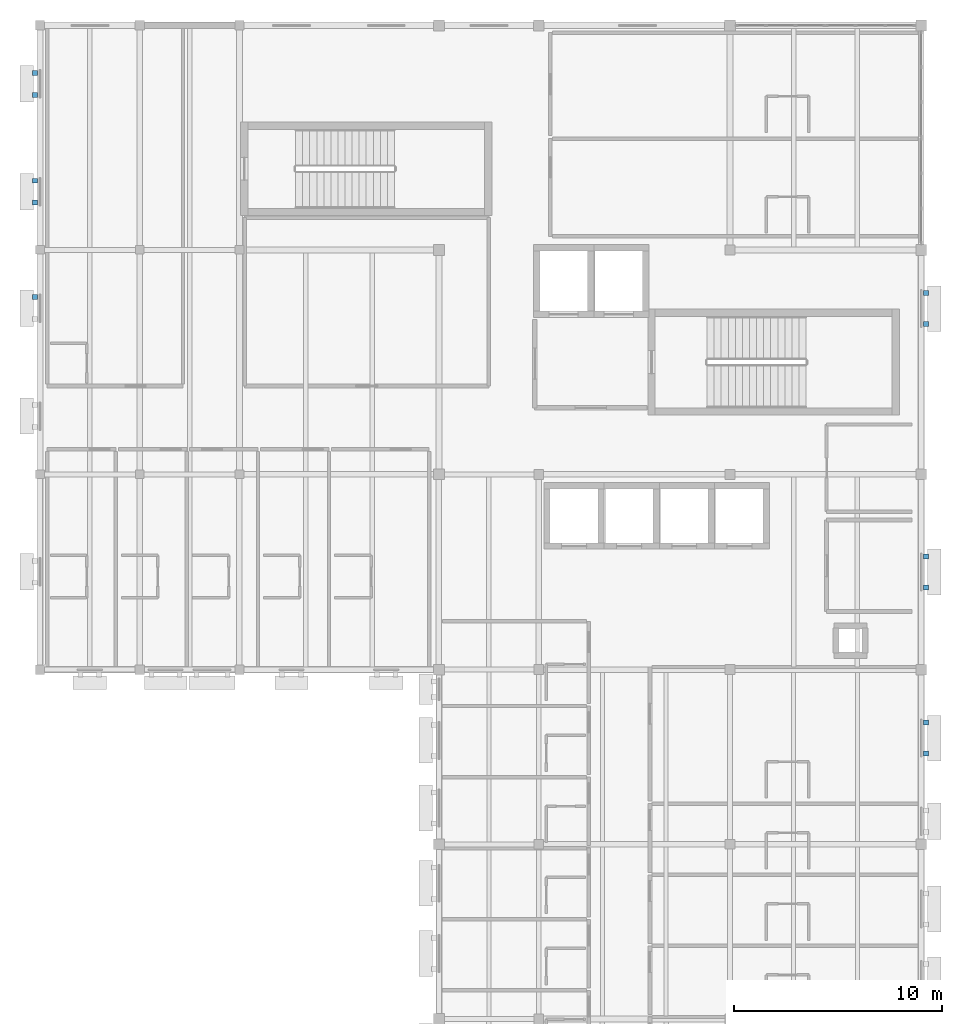
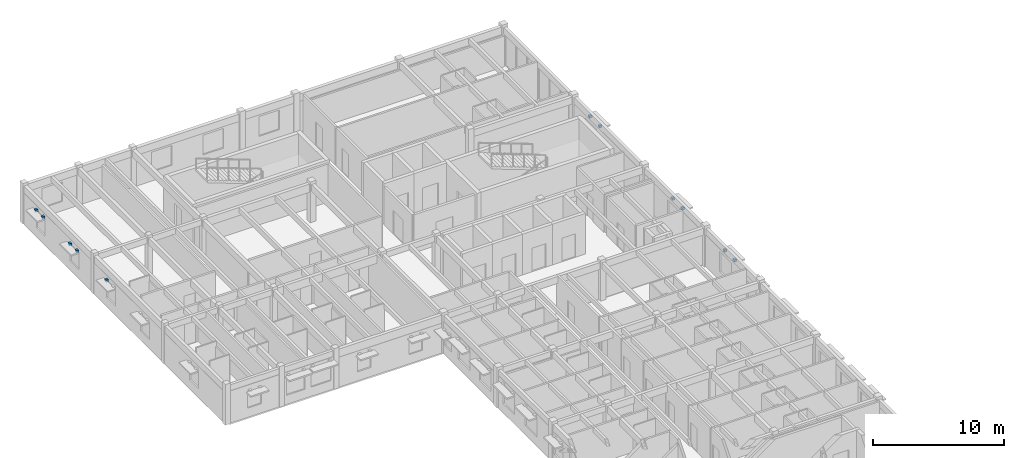
# One storey, part 17 of 22: 11 discrete accessories.
"""IFC4 building model written with IfcOpenShell, lengths in metres."""

from ifc_helpers import new_model, si_unit, direction, frame, origin, origin_2d, place, context, subcontext, project, spatial, rectangle, extrude, material, type_object, element, save


model = new_model("IFC4")

# Units and contexts
model_context = context("Model", 3, precision=1e-05, world=origin(), true_north=direction((0.0, 1.0)))
body_context = subcontext(model_context, "Body", "Model", "MODEL_VIEW")
ifc_project = project(units=[si_unit("LENGTHUNIT", "METRE"), si_unit("AREAUNIT", "SQUARE_METRE"), si_unit("VOLUMEUNIT", "CUBIC_METRE"), si_unit("PLANEANGLEUNIT", "RADIAN"), si_unit("MASSUNIT", "GRAM", prefix="KILO")], contexts=[model_context])

# Site, building, storey
site_placement = place(None, origin())
site = spatial("IfcSite", under=ifc_project, at=site_placement, CompositionType="ELEMENT")
building_placement = place(site_placement, origin())
building = spatial("IfcBuilding", under=site, at=building_placement, Name="Veldera Park Congress Hotel", CompositionType="ELEMENT")
storey_placement = place(building_placement, frame((0.0, 0.0, 23.800048828125)))
storey = spatial("IfcBuildingStorey", under=building, at=storey_placement, Name="L05", CompositionType="ELEMENT", Elevation=23.800048828125)

# Discrete accessories
ifc_material = material(Name="Steel ASTM A992 Gr.50", Category="steel")
discrete_accessory_type = type_object("IfcDiscreteAccessoryType", Name="ACC-BRK160", PredefinedType="BRACKET", material=ifc_material)
for number, where, z_axis, x_axis, name in (
    (1, (84.239990234375, 30.949951171875, 2.669921875), (0.0, 0.0, 1.0), (0.0, 1.0, 0.0), "Shading Steel Outrigger Bracket 160L"),
    (2, (84.239990234375, 32.449951171875, 2.669921875), (0.0, 0.0, 1.0), (0.0, 1.0, 0.0), "Shading Steel Outrigger Bracket 160R"),
    (3, (84.239990234375, 43.62109375, 2.669921875), (0.0, 0.0, 1.0), (0.0, 1.0, 0.0), "Shading Steel Outrigger Bracket 161L"),
    (4, (84.239990234375, 45.12109375, 2.669921875), (0.0, 0.0, 1.0), (0.0, 1.0, 0.0), "Shading Steel Outrigger Bracket 161R"),
    (5, (41.360107421875, 55.709716796875, 2.4697265625), (0.0, 0.0, 1.0), (0.0, -1.0, 0.0), "Shading Steel Outrigger Bracket 162L"),
    (6, (41.360107421875, 54.659912109375, 2.4697265625), (0.0, 0.0, 1.0), (0.0, -1.0, 0.0), "Shading Steel Outrigger Bracket 162R"),
    (7, (41.360107421875, 50.525146484375, 2.4697265625), (0.0, 0.0, 1.0), (0.0, -1.0, 0.0), "Shading Steel Outrigger Bracket 163L"),
    (8, (41.360107421875, 49.47509765625, 2.4697265625), (0.0, 0.0, 1.0), (0.0, -1.0, 0.0), "Shading Steel Outrigger Bracket 163R"),
    (9, (41.360107421875, 44.9208984375, 2.4697265625), (0.0, 0.0, 1.0), (0.0, -1.0, 0.0), "Shading Steel Outrigger Bracket 164L"),
    (10, (84.239990234375, 22.9560546875, 2.669921875), (0.0, 0.0, 1.0), (0.0, 1.0, 0.0), "Shading Steel Outrigger Bracket 423L"),
    (11, (84.239990234375, 24.4560546875, 2.669921875), (0.0, 0.0, 1.0), (0.0, 1.0, 0.0), "Shading Steel Outrigger Bracket 423R"),
):
    element("IfcDiscreteAccessory", number, at=place(storey_placement, frame(where, z_axis=z_axis, x_axis=x_axis)), inside=storey, type_object=discrete_accessory_type, Name=name, PredefinedType="BRACKET", context=body_context, shape_type="SweptSolid", body=[
        extrude(rectangle(XDim=0.239990234375, YDim=0.239990234375, at=origin_2d()), origin(), (0.0, 0.0, 1.0), 0.219970703125),
    ])

save(model, "model.ifc")
